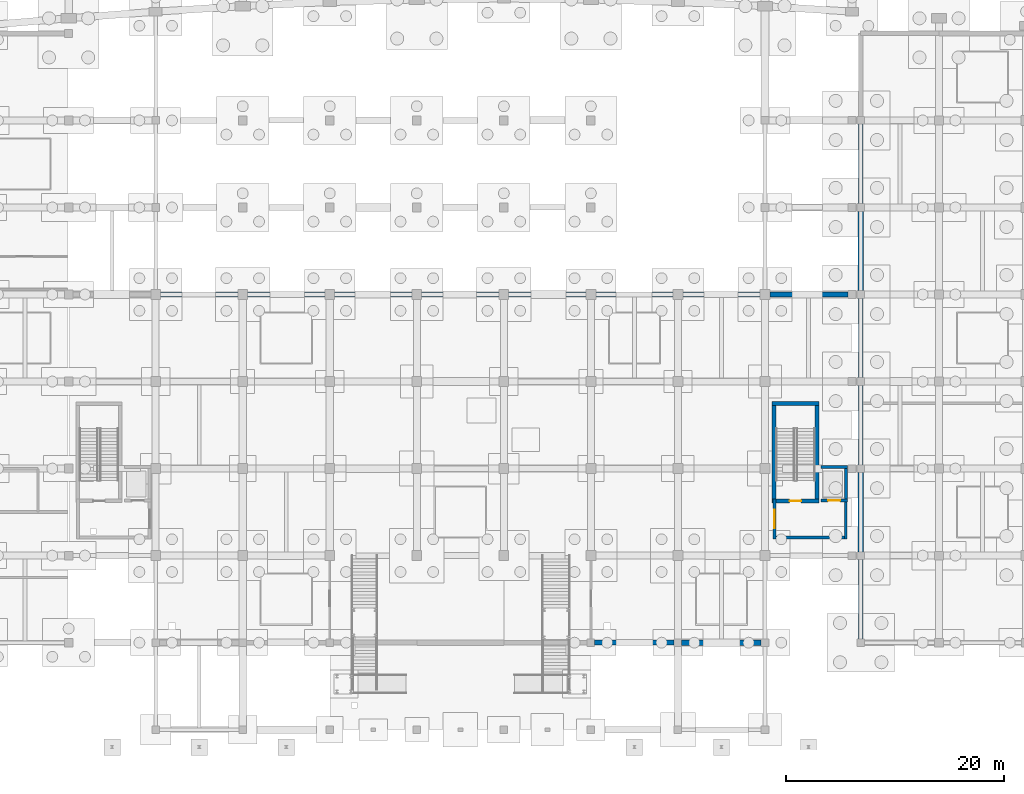
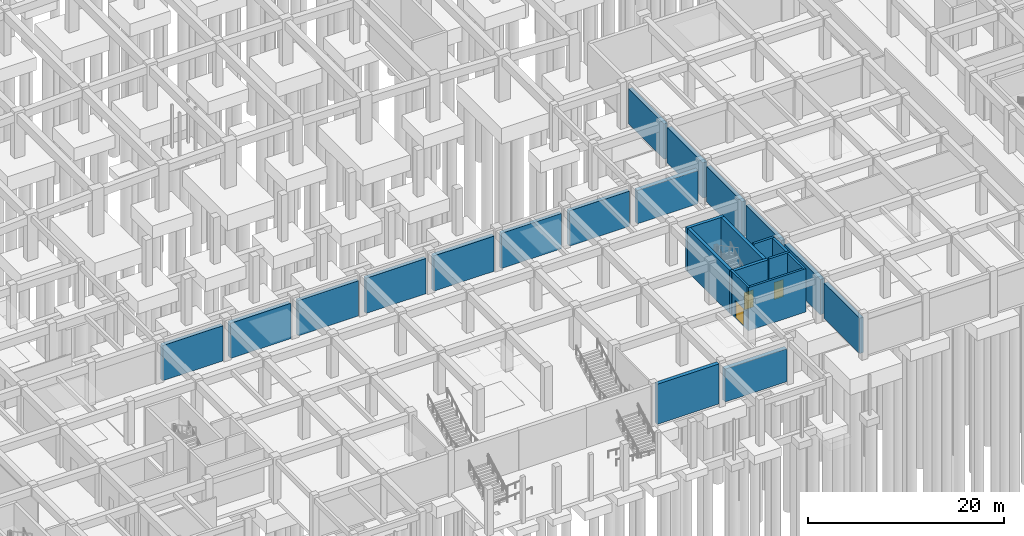
# One storey, part 27 of 45: 26 walls, 3 doors, 3 openings.
"""IFC4 building model written with IfcOpenShell, lengths in metres."""

import ifcopenshell
import ifcopenshell.guid

model = None  # the IFC model being written
_history = None  # IfcOwnerHistory: only IFC2X3 demands one
_inside = {}  # id of a spatial element -> (the spatial element, [elements in it])
_under = {}  # id of a project, library or spatial element -> (it, [spatial elements below it])
_declared = {}  # id of a project -> (the project, [libraries it declares])
_typed = {}  # id of a type object -> (the type object, [elements of that type])
_made_of = {}  # id of a material, layer set ... -> (it, [elements and type objects made of it])


def new_model(schema):
    """Start an empty IFC model of exactly this schema.

    Asked for "IFC4X3", IfcOpenShell would pick the latest addendum, in which some entities
    have other attributes; the version numbers below select the first issue.
    IFC2X3 requires an IfcOwnerHistory on every rooted entity: one is made here for all.
    """
    global model, _history
    if schema == "IFC4X3":
        model = ifcopenshell.file(schema_version=(4, 3, 0, 0))
    else:
        model = ifcopenshell.file(schema=schema)
    _inside.clear()
    _under.clear()
    _declared.clear()
    _typed.clear()
    _made_of.clear()
    _history = None
    if model.schema == "IFC2X3":
        org = make("IfcOrganization", Name="unknown")
        user = make(
            "IfcPersonAndOrganization",
            ThePerson=make("IfcPerson", FamilyName="unknown"),
            TheOrganization=org,
        )
        app = make(
            "IfcApplication",
            ApplicationDeveloper=org,
            Version="unknown",
            ApplicationFullName="unknown",
            ApplicationIdentifier="unknown",
        )
        _history = make(
            "IfcOwnerHistory",
            OwningUser=user,
            OwningApplication=app,
            ChangeAction="ADDED",
            CreationDate=0,
        )
    return model


def make(cls, **values):
    """One entity of the class cls with the attributes given. An attribute that is None is left unset."""
    return model.create_entity(
        cls, **{name: value for name, value in values.items() if value is not None}
    )


def rooted(cls, **values):
    """An entity with a GlobalId (a new one), such as an element, a storey or a relation."""
    return make(cls, GlobalId=ifcopenshell.guid.new(), OwnerHistory=_history, **values)


def si_unit(unit_type, name, prefix=None):
    """IfcSIUnit, for example si_unit("LENGTHUNIT", "METRE", prefix="MILLI")."""
    return make("IfcSIUnit", UnitType=unit_type, Prefix=prefix, Name=name)


def assignment(units):
    """IfcUnitAssignment: the units of a project."""
    return None if units is None else make("IfcUnitAssignment", Units=units)


def point(xyz):
    """IfcCartesianPoint."""
    return None if xyz is None else make("IfcCartesianPoint", Coordinates=xyz)


def direction(xyz):
    """IfcDirection."""
    return None if xyz is None else make("IfcDirection", DirectionRatios=xyz)


def frame(location, z_axis=None, x_axis=None):
    """IfcAxis2Placement3D, a coordinate frame: its origin and axes. An axis left out is left unset."""
    return make(
        "IfcAxis2Placement3D",
        Location=point(location),
        Axis=direction(z_axis),
        RefDirection=direction(x_axis),
    )


def frame_2d(location, x_axis=None):
    """IfcAxis2Placement2D, a coordinate frame in the plane: its origin and x axis."""
    return make(
        "IfcAxis2Placement2D", Location=point(location), RefDirection=direction(x_axis)
    )


def origin():
    """The frame at (0, 0, 0) with its axes left unset."""
    return frame((0.0, 0.0, 0.0))


def place(relative_to, where):
    """IfcLocalPlacement: puts the frame where relative to a parent placement (None: the world)."""
    return make(
        "IfcLocalPlacement", PlacementRelTo=relative_to, RelativePlacement=where
    )


def context(
    kind, dimensions, precision=None, world=None, true_north=None, identifier=None
):
    """IfcGeometricRepresentationContext, for example the 3D "Model" context."""
    return make(
        "IfcGeometricRepresentationContext",
        ContextIdentifier=identifier,
        ContextType=kind,
        CoordinateSpaceDimension=dimensions,
        Precision=precision,
        WorldCoordinateSystem=world,
        TrueNorth=true_north,
    )


def subcontext(parent, identifier, kind, view, scale=None):
    """IfcGeometricRepresentationSubContext, for example "Body" below "Model"."""
    return make(
        "IfcGeometricRepresentationSubContext",
        ContextIdentifier=identifier,
        ContextType=kind,
        ParentContext=parent,
        TargetScale=scale,
        TargetView=view,
    )


def project(units=None, contexts=None):
    """IfcProject with its units and contexts."""
    return rooted(
        "IfcProject",
        Name="project",
        RepresentationContexts=contexts,
        UnitsInContext=assignment(units),
    )


def spatial(cls, under=None, at=None, **own):
    """A site, building, storey or space (cls), placed at a placement, below another one or the project."""
    s = rooted(cls, ObjectPlacement=at, **own)
    if under is not None:
        _under.setdefault(under.id(), (under, []))[1].append(s)
    return s


def profile(cls, at=None, kind="AREA", **sizes):
    """A parametric profile (cls). Its sizes go by their IFC names, for example OverallWidth=200.0."""
    return make(cls, ProfileType=kind, Position=at, **sizes)


def rectangle(**sizes):
    """IfcRectangleProfileDef."""
    return profile("IfcRectangleProfileDef", **sizes)


def extrude(swept, where, along, depth):
    """IfcExtrudedAreaSolid: the profile swept, set in the frame where, extruded along a direction by depth."""
    return make(
        "IfcExtrudedAreaSolid",
        SweptArea=swept,
        Position=where,
        ExtrudedDirection=direction(along),
        Depth=depth,
    )


def shape(context_of_items, identifier, shape_type, items):
    """IfcShapeRepresentation: the items that make up one representation, for example the "Body"."""
    return make(
        "IfcShapeRepresentation",
        ContextOfItems=context_of_items,
        RepresentationIdentifier=identifier,
        RepresentationType=shape_type,
        Items=items,
    )


def material(Name=None, Category=None):
    """IfcMaterial."""
    return make("IfcMaterial", Name=Name, Category=Category)


def layer(
    of_material, thickness, ventilated=None, Name=None, Category=None, Priority=None
):
    """IfcMaterialLayer: one layer of a wall or slab, of a material (None: an air gap)."""
    return make(
        "IfcMaterialLayer",
        Material=of_material,
        LayerThickness=thickness,
        IsVentilated=ventilated,
        Name=Name,
        Category=Category,
        Priority=Priority,
    )


def layer_set(layers, Name=None):
    """IfcMaterialLayerSet."""
    return make("IfcMaterialLayerSet", MaterialLayers=layers, LayerSetName=Name)


def made_of(thing, what):
    """Note that an element or type object is made of a material, layer set ...; save() writes the relation."""
    if what is not None:
        _made_of.setdefault(what.id(), (what, []))[1].append(thing)
    return thing


def type_object(cls, material=None, **own):
    """A type object (cls), such as IfcWallType, which elements share."""
    return made_of(rooted(cls, **own), material)


def element(
    cls,
    number,
    at=None,
    inside=None,
    cuts=None,
    type_object=None,
    material=None,
    context=None,
    identifier="Body",
    shape_type=None,
    held_by="IfcProductDefinitionShape",
    body=None,
    shapes=None,
    **own,
):
    """One element of the class cls, such as IfcWall. Its Tag is "e" and its number.

    at: its placement. inside: the storey or other place that contains it. cuts: it is an
    opening in that element (IfcRelVoidsElement). A single representation is given by context,
    identifier, shape_type and body (its items); several are given by shapes. held_by: the class
    of the entity that holds the representations. save() writes the other relations.
    """
    e = rooted(cls, Tag="e%d" % number, ObjectPlacement=at, **own)
    if body is not None:
        shapes = [shape(context, identifier, shape_type, body)]
    if shapes is not None:
        e.Representation = make(held_by, Representations=shapes)
    if inside is not None:
        _inside.setdefault(inside.id(), (inside, []))[1].append(e)
    if cuts is not None:
        rooted(
            "IfcRelVoidsElement", RelatingBuildingElement=cuts, RelatedOpeningElement=e
        )
    if type_object is not None:
        _typed.setdefault(type_object.id(), (type_object, []))[1].append(e)
    return made_of(e, material)


def fill(opening, filler):
    """IfcRelFillsElement: the door or window that sits in an opening."""
    return rooted(
        "IfcRelFillsElement",
        RelatingOpeningElement=opening,
        RelatedBuildingElement=filler,
    )


def aggregate(whole, parts):
    """IfcRelAggregates: a whole, such as a stair, and the parts it consists of."""
    return rooted("IfcRelAggregates", RelatingObject=whole, RelatedObjects=parts)


def save(model, path):
    """Write the relations noted so far, then the file.

    IfcRelAggregates (storeys below a building ...), IfcRelContainedInSpatialStructure (elements
    in a storey), IfcRelDefinesByType, IfcRelAssociatesMaterial and IfcRelDeclares: one each for
    every whole, place, type object, material and project.
    """
    for whole, parts in _under.values():
        aggregate(whole, parts)
    for where, things in _inside.values():
        rooted(
            "IfcRelContainedInSpatialStructure",
            RelatedElements=things,
            RelatingStructure=where,
        )
    for kind, things in _typed.values():
        rooted("IfcRelDefinesByType", RelatedObjects=things, RelatingType=kind)
    for what, things in _made_of.values():
        rooted("IfcRelAssociatesMaterial", RelatedObjects=things, RelatingMaterial=what)
    for by, libraries in _declared.values():
        rooted("IfcRelDeclares", RelatingContext=by, RelatedDefinitions=libraries)
    model.write(path)


model = new_model("IFC4")

# Units and contexts
model_context = context("Model", 3, precision=1e-05, world=origin(), true_north=direction((0.0, 1.0)))
body_context = subcontext(model_context, "Body", "Model", "MODEL_VIEW")
ifc_project = project(units=[si_unit("LENGTHUNIT", "METRE"), si_unit("AREAUNIT", "SQUARE_METRE"), si_unit("VOLUMEUNIT", "CUBIC_METRE"), si_unit("PLANEANGLEUNIT", "RADIAN"), si_unit("MASSUNIT", "GRAM", prefix="KILO")], contexts=[model_context])

# Site, building, storey
site_placement = place(None, origin())
site = spatial("IfcSite", under=ifc_project, at=site_placement, CompositionType="ELEMENT")
building_placement = place(site_placement, origin())
building = spatial("IfcBuilding", under=site, at=building_placement, Name="Kenh Van Central Station", CompositionType="ELEMENT")
storey_placement = place(building_placement, frame((0.0, 0.0, -5.39990234375)))
storey = spatial("IfcBuildingStorey", under=building, at=storey_placement, Name="B1", CompositionType="ELEMENT", Elevation=-5.39990234375)

# Wall, opening, door
ifc_material_1 = material(Name="Concrete C40/50", Category="concrete")
ifc_layer_1 = layer(ifc_material_1, 0.280029296875, Name="Concrete C40/50")
ifc_layer_set_1 = layer_set([ifc_layer_1], Name="Concrete C40/50")
wall_type_1 = type_object("IfcWallType", Name="WL-CORE-280", PredefinedType="SHEAR", material=ifc_layer_set_1)
wall_1_placement = place(storey_placement, frame((117.14990234375, 21.06005859375, 0.0), z_axis=(0.0, 0.0, 1.0), x_axis=(1.0, 0.0, 0.0)))
wall_1 = element("IfcWall", 1, at=wall_1_placement, inside=storey, type_object=wall_type_1, Name="B1 LIFT-P4 shaft wall S", PredefinedType="SHEAR", context=body_context, shape_type="SweptSolid", body=[
    extrude(rectangle(XDim=2.43017578125, YDim=0.280029296875, at=frame_2d((1.215087890625, 0.0))), origin(), (0.0, 0.0, 1.0), 5.39990234375),
])
opening_1_placement = place(wall_1_placement, frame((0.6650390625, 0.0, 0.0)))
opening_1 = element("IfcOpeningElement", 2, at=opening_1_placement, cuts=wall_1, Name="Opening LD-P1", PredefinedType="OPENING", context=body_context, shape_type="SweptSolid", body=[
    extrude(rectangle(XDim=1.10009765625, YDim=2.14990234375, at=frame_2d((0.550048828125, 1.074951171875))), frame((0.0, 0.14990234375, 0.0), z_axis=(0.0, -1.0, 0.0), x_axis=(1.0, 0.0, 0.0)), (0.0, 0.0, 1.0), 0.300048828125),
])
ifc_material_2 = material(Name="Champagne anodised aluminium", Category="aluminium")
door_type_1 = type_object("IfcDoorType", Name="DR-LIFT-1100x2150", OperationType="SLIDING_TO_LEFT", PredefinedType="DOOR", material=ifc_material_2)
door_1_placement = place(opening_1_placement, origin())
door_1 = element("IfcDoor", 3, at=door_1_placement, inside=storey, type_object=door_type_1, Name="B1 LIFT-P4 sliding landing door", OperationType="SLIDING_TO_LEFT", OverallHeight=2.14990234375, OverallWidth=1.10009765625, PredefinedType="DOOR", context=body_context, shape_type="SweptSolid", body=[
    extrude(rectangle(XDim=1.10009765625, YDim=2.14990234375, at=frame_2d((0.550048828125, 1.074951171875))), frame((0.0, 0.02490234375, 0.0), z_axis=(0.0, -1.0, 0.0), x_axis=(1.0, 0.0, 0.0)), (0.0, 0.0, 1.0), 0.050048828125),
])
fill(opening_1, door_1)

# Walls
wall_2_placement = place(storey_placement, frame((117.14990234375, 24.139892578125, 0.0), z_axis=(0.0, 0.0, 1.0), x_axis=(1.0, 0.0, 0.0)))
element("IfcWall", 4, at=wall_2_placement, inside=storey, type_object=wall_type_1, Name="B1 LIFT-P4 shaft wall N", PredefinedType="SHEAR", context=body_context, shape_type="SweptSolid", body=[
    extrude(rectangle(XDim=2.43017578125, YDim=0.280029296875, at=frame_2d((1.215087890625, 0.0))), origin(), (0.0, 0.0, 1.0), 5.39990234375),
])
wall_3_placement = place(storey_placement, frame((119.43994140625, 21.199951171875, 0.0), z_axis=(0.0, 0.0, 1.0), x_axis=(0.0, 1.0, 0.0)))
element("IfcWall", 5, at=wall_3_placement, inside=storey, type_object=wall_type_1, Name="B1 LIFT-P4 shaft wall E", PredefinedType="SHEAR", context=body_context, shape_type="SweptSolid", body=[
    extrude(rectangle(XDim=2.800048828125, YDim=0.280029296875, at=frame_2d((1.39990234375, 0.0))), origin(), (0.0, 0.0, 1.0), 5.39990234375),
])

# Wall, opening, door
ifc_layer_2 = layer(ifc_material_1, 0.360107421875, Name="Concrete C40/50")
ifc_layer_set_2 = layer_set([ifc_layer_2], Name="Concrete C40/50")
wall_type_2 = type_object("IfcWallType", Name="WL-CORE-360", PredefinedType="SHEAR", material=ifc_layer_set_2)
wall_4_placement = place(storey_placement, frame((112.639892578125, 21.02001953125, 0.0), z_axis=(0.0, 0.0, 1.0), x_axis=(1.0, 0.0, 0.0)))
wall_4 = element("IfcWall", 6, at=wall_4_placement, inside=storey, type_object=wall_type_2, Name="B1 CORE-04 stair wall S", PredefinedType="SHEAR", context=body_context, shape_type="SweptSolid", body=[
    extrude(rectangle(XDim=4.320068359375, YDim=0.360107421875, at=frame_2d((2.16015625, 0.0))), origin(), (0.0, 0.0, 1.0), 5.39990234375),
])
opening_2_placement = place(wall_4_placement, frame((1.635009765625, 0.0, 0.0)))
opening_2 = element("IfcOpeningElement", 7, at=opening_2_placement, cuts=wall_4, Name="Opening D-FD60", PredefinedType="OPENING", context=body_context, shape_type="SweptSolid", body=[
    extrude(rectangle(XDim=1.050048828125, YDim=2.14990234375, at=frame_2d((0.52490234375, 1.074951171875))), frame((0.0, 0.18994140625, 0.0), z_axis=(0.0, -1.0, 0.0), x_axis=(1.0, 0.0, 0.0)), (0.0, 0.0, 1.0), 0.380126953125),
])
door_type_2 = type_object("IfcDoorType", Name="DR-FIRE-1050x2150", OperationType="NOTDEFINED", PredefinedType="DOOR", material=ifc_material_2)
door_2_placement = place(opening_2_placement, origin())
door_2 = element("IfcDoor", 8, at=door_2_placement, inside=storey, type_object=door_type_2, Name="B1 ST-04 stair door", OperationType="SINGLE_SWING_RIGHT", OverallHeight=2.14990234375, OverallWidth=1.050048828125, PredefinedType="DOOR", context=body_context, shape_type="SweptSolid", body=[
    extrude(rectangle(XDim=1.050048828125, YDim=2.14990234375, at=frame_2d((0.52490234375, 1.074951171875))), frame((0.0, 0.02490234375, 0.0), z_axis=(0.0, -1.0, 0.0), x_axis=(1.0, 0.0, 0.0)), (0.0, 0.0, 1.0), 0.050048828125),
])
fill(opening_2, door_2)

# Walls
wall_5_placement = place(storey_placement, frame((112.639892578125, 29.97998046875, 0.0), z_axis=(0.0, 0.0, 1.0), x_axis=(1.0, 0.0, 0.0)))
element("IfcWall", 9, at=wall_5_placement, inside=storey, type_object=wall_type_2, Name="B1 CORE-04 stair wall N", PredefinedType="SHEAR", context=body_context, shape_type="SweptSolid", body=[
    extrude(rectangle(XDim=4.320068359375, YDim=0.360107421875, at=frame_2d((2.16015625, 0.0))), origin(), (0.0, 0.0, 1.0), 5.39990234375),
])
for number, where, z_axis, x_axis, name in (
    (10, (112.820068359375, 21.199951171875, 0.0), (0.0, 0.0, 1.0), (0.0, 1.0, 0.0), "B1 CORE-04 stair wall W"),
    (11, (116.780029296875, 21.199951171875, 0.0), (0.0, 0.0, 1.0), (0.0, 1.0, 0.0), "B1 CORE-04 stair wall E"),
):
    element("IfcWall", number, at=place(storey_placement, frame(where, z_axis=z_axis, x_axis=x_axis)), inside=storey, type_object=wall_type_2, Name=name, PredefinedType="SHEAR", context=body_context, shape_type="SweptSolid", body=[
        extrude(rectangle(XDim=8.60009765625, YDim=0.360107421875, at=frame_2d((4.300048828125, 0.0))), origin(), (0.0, 0.0, 1.0), 5.39990234375),
    ])
ifc_layer_3 = layer(ifc_material_1, 0.260009765625, Name="Concrete C40/50")
ifc_layer_set_3 = layer_set([ifc_layer_3], Name="Concrete C40/50")
wall_type_3 = type_object("IfcWallType", Name="WL-FIRE-260", PredefinedType="SHEAR", material=ifc_layer_set_3)
wall_6_placement = place(storey_placement, frame((119.56005859375, 17.669921875, 0.0), z_axis=(0.0, 0.0, 1.0), x_axis=(-1.0, 0.0, 0.0)))
element("IfcWall", 12, at=wall_6_placement, inside=storey, type_object=wall_type_3, Name="B1 CORE-04 lobby wall S", PredefinedType="SHEAR", context=body_context, shape_type="SweptSolid", body=[
    extrude(rectangle(XDim=6.820068359375, YDim=0.260009765625, at=frame_2d((3.41015625, 0.0))), origin(), (0.0, 0.0, 1.0), 5.39990234375),
])

# Wall, opening, door
wall_7_placement = place(storey_placement, frame((112.8701171875, 17.5400390625, 0.0), z_axis=(0.0, 0.0, 1.0), x_axis=(0.0, 1.0, 0.0)))
wall_7 = element("IfcWall", 13, at=wall_7_placement, inside=storey, type_object=wall_type_3, Name="B1 CORE-04 lobby wall W", PredefinedType="SHEAR", context=body_context, shape_type="SweptSolid", body=[
    extrude(rectangle(XDim=3.659912109375, YDim=0.260009765625, at=frame_2d((1.830078125, 0.0))), origin(), (0.0, 0.0, 1.0), 5.39990234375),
])
opening_3_placement = place(wall_7_placement, frame((0.97998046875, 0.0, 0.0)))
opening_3 = element("IfcOpeningElement", 14, at=opening_3_placement, cuts=wall_7, Name="Opening D-FD60D", PredefinedType="OPENING", context=body_context, shape_type="SweptSolid", body=[
    extrude(rectangle(XDim=1.699951171875, YDim=2.199951171875, at=frame_2d((0.85009765625, 1.10009765625))), frame((0.0, 0.139892578125, 0.0), z_axis=(0.0, -1.0, 0.0), x_axis=(1.0, 0.0, 0.0)), (0.0, 0.0, 1.0), 0.280029296875),
])
door_type_3 = type_object("IfcDoorType", Name="DR-FIRE-1700x2200", OperationType="DOUBLE_DOOR_SINGLE_SWING", PredefinedType="DOOR", material=ifc_material_2)
door_3_placement = place(opening_3_placement, origin())
door_3 = element("IfcDoor", 15, at=door_3_placement, inside=storey, type_object=door_type_3, Name="B1 CORE-04 smoke-stop lobby door", OperationType="DOUBLE_DOOR_SINGLE_SWING", OverallHeight=2.199951171875, OverallWidth=1.699951171875, PredefinedType="DOOR", context=body_context, shape_type="SweptSolid", body=[
    extrude(rectangle(XDim=1.699951171875, YDim=2.199951171875, at=frame_2d((0.85009765625, 1.10009765625))), frame((0.0, 0.02490234375, 0.0), z_axis=(0.0, -1.0, 0.0), x_axis=(1.0, 0.0, 0.0)), (0.0, 0.0, 1.0), 0.050048828125),
])
fill(opening_3, door_3)

# Walls
wall_8_placement = place(storey_placement, frame((119.429931640625, 17.5400390625, 0.0), z_axis=(0.0, 0.0, 1.0), x_axis=(0.0, 1.0, 0.0)))
element("IfcWall", 16, at=wall_8_placement, inside=storey, type_object=wall_type_3, Name="B1 CORE-04 lobby wall E", PredefinedType="SHEAR", context=body_context, shape_type="SweptSolid", body=[
    extrude(rectangle(XDim=3.659912109375, YDim=0.260009765625, at=frame_2d((1.830078125, 0.0))), origin(), (0.0, 0.0, 1.0), 5.39990234375),
])
ifc_layer_4 = layer(ifc_material_1, 0.419921875, Name="Concrete C40/50")
ifc_layer_set_4 = layer_set([ifc_layer_4], Name="Concrete C40/50")
wall_type_4 = type_object("IfcWallType", Name="WL-RET-420", PredefinedType="USERDEFINED", material=ifc_layer_set_4)
for number, where, z_axis, x_axis, name in (
    (17, (72.449951171875, 40.0, 0.0), (0.0, 0.0, 1.0), (1.0, 0.0, 0.0), "B1 retaining wall 030"),
    (18, (96.449951171875, 40.0, 0.0), (0.0, 0.0, 1.0), (1.0, 0.0, 0.0), "B1 retaining wall 033"),
):
    element("IfcWall", number, at=place(storey_placement, frame(where, z_axis=z_axis, x_axis=x_axis)), inside=storey, type_object=wall_type_4, Name=name, ObjectType="RETAININGWALL", PredefinedType="USERDEFINED", context=body_context, shape_type="SweptSolid", body=[
        extrude(rectangle(XDim=7.10009765625, YDim=0.419921875, at=frame_2d((3.550048828125, 0.0))), origin(), (0.0, 0.0, 1.0), 4.39990234375),
    ])
for number, where, z_axis, x_axis, name in (
    (19, (120.800048828125, 24.35009765625, 0.0), (0.0, 0.0, 1.0), (0.0, 1.0, 0.0), "B1 retaining wall 045"),
    (20, (120.800048828125, 48.35009765625, 0.0), (0.0, 0.0, 1.0), (0.0, 1.0, 0.0), "B1 retaining wall 048"),
):
    element("IfcWall", number, at=place(storey_placement, frame(where, z_axis=z_axis, x_axis=x_axis)), inside=storey, type_object=wall_type_4, Name=name, ObjectType="RETAININGWALL", PredefinedType="USERDEFINED", context=body_context, shape_type="SweptSolid", body=[
        extrude(rectangle(XDim=7.2998046875, YDim=0.419921875, at=frame_2d((3.64990234375, 0.0))), origin(), (0.0, 0.0, 1.0), 4.39990234375),
    ])
ifc_layer_5 = layer(ifc_material_1, 0.449951171875, Name="Concrete C40/50")
ifc_layer_set_5 = layer_set([ifc_layer_5], Name="Concrete C40/50")
wall_type_5 = type_object("IfcWallType", Name="WL-RET-450", PredefinedType="USERDEFINED", material=ifc_layer_set_5)
wall_9_placement = place(storey_placement, frame((96.35009765625, 8.0, 0.0), z_axis=(0.0, 0.0, 1.0), x_axis=(1.0, 0.0, 0.0)))
element("IfcWall", 21, at=wall_9_placement, inside=storey, type_object=wall_type_5, Name="B1 retaining wall 025", ObjectType="RETAININGWALL", PredefinedType="USERDEFINED", context=body_context, shape_type="SweptSolid", body=[
    extrude(rectangle(XDim=7.2998046875, YDim=0.449951171875, at=frame_2d((3.64990234375, 0.0))), origin(), (0.0, 0.0, 1.0), 5.0),
])
for number, where, z_axis, x_axis, name in (
    (22, (56.449951171875, 40.0, 0.0), (0.0, 0.0, 1.0), (1.0, 0.0, 0.0), "B1 retaining wall 028"),
    (23, (80.449951171875, 40.0, 0.0), (0.0, 0.0, 1.0), (1.0, 0.0, 0.0), "B1 retaining wall 031"),
    (24, (104.449951171875, 40.0, 0.0), (0.0, 0.0, 1.0), (1.0, 0.0, 0.0), "B1 retaining wall 034"),
):
    element("IfcWall", number, at=place(storey_placement, frame(where, z_axis=z_axis, x_axis=x_axis)), inside=storey, type_object=wall_type_5, Name=name, ObjectType="RETAININGWALL", PredefinedType="USERDEFINED", context=body_context, shape_type="SweptSolid", body=[
        extrude(rectangle(XDim=7.10009765625, YDim=0.449951171875, at=frame_2d((3.550048828125, 0.0))), origin(), (0.0, 0.0, 1.0), 4.39990234375),
    ])
for number, where, z_axis, x_axis, name in (
    (25, (120.800048828125, 8.35009765625, 0.0), (0.0, 0.0, 1.0), (0.0, 1.0, 0.0), "B1 retaining wall 043"),
    (26, (120.800048828125, 32.35009765625, 0.0), (0.0, 0.0, 1.0), (0.0, 1.0, 0.0), "B1 retaining wall 046"),
):
    element("IfcWall", number, at=place(storey_placement, frame(where, z_axis=z_axis, x_axis=x_axis)), inside=storey, type_object=wall_type_5, Name=name, ObjectType="RETAININGWALL", PredefinedType="USERDEFINED", context=body_context, shape_type="SweptSolid", body=[
        extrude(rectangle(XDim=7.2998046875, YDim=0.449951171875, at=frame_2d((3.64990234375, 0.0))), origin(), (0.0, 0.0, 1.0), 4.39990234375),
    ])
ifc_layer_6 = layer(ifc_material_1, 0.5, Name="Concrete C40/50")
ifc_layer_set_6 = layer_set([ifc_layer_6], Name="Concrete C40/50")
wall_type_6 = type_object("IfcWallType", Name="WL-RET-500", PredefinedType="USERDEFINED", material=ifc_layer_set_6)
wall_10_placement = place(storey_placement, frame((104.35009765625, 8.0, 0.0), z_axis=(0.0, 0.0, 1.0), x_axis=(1.0, 0.0, 0.0)))
element("IfcWall", 27, at=wall_10_placement, inside=storey, type_object=wall_type_6, Name="B1 retaining wall 026", ObjectType="RETAININGWALL", PredefinedType="USERDEFINED", context=body_context, shape_type="SweptSolid", body=[
    extrude(rectangle(XDim=7.2998046875, YDim=0.5, at=frame_2d((3.64990234375, 0.0))), origin(), (0.0, 0.0, 1.0), 4.10986328125),
])
for number, where, z_axis, x_axis, name in (
    (28, (64.449951171875, 40.0, 0.0), (0.0, 0.0, 1.0), (1.0, 0.0, 0.0), "B1 retaining wall 029"),
    (29, (88.449951171875, 40.0, 0.0), (0.0, 0.0, 1.0), (1.0, 0.0, 0.0), "B1 retaining wall 032"),
):
    element("IfcWall", number, at=place(storey_placement, frame(where, z_axis=z_axis, x_axis=x_axis)), inside=storey, type_object=wall_type_6, Name=name, ObjectType="RETAININGWALL", PredefinedType="USERDEFINED", context=body_context, shape_type="SweptSolid", body=[
        extrude(rectangle(XDim=7.10009765625, YDim=0.5, at=frame_2d((3.550048828125, 0.0))), origin(), (0.0, 0.0, 1.0), 4.39990234375),
    ])
wall_11_placement = place(storey_placement, frame((112.449951171875, 40.0, 0.0), z_axis=(0.0, 0.0, 1.0), x_axis=(1.0, 0.0, 0.0)))
element("IfcWall", 30, at=wall_11_placement, inside=storey, type_object=wall_type_6, Name="B1 retaining wall 035", ObjectType="RETAININGWALL", PredefinedType="USERDEFINED", context=body_context, shape_type="SweptSolid", body=[
    extrude(rectangle(XDim=7.199951171875, YDim=0.5, at=frame_2d((3.60009765625, 0.0))), origin(), (0.0, 0.0, 1.0), 4.14990234375),
])
for number, where, z_axis, x_axis, name in (
    (31, (120.800048828125, 16.35009765625, 0.0), (0.0, 0.0, 1.0), (0.0, 1.0, 0.0), "B1 retaining wall 044"),
    (32, (120.800048828125, 40.35009765625, 0.0), (0.0, 0.0, 1.0), (0.0, 1.0, 0.0), "B1 retaining wall 047"),
):
    element("IfcWall", number, at=place(storey_placement, frame(where, z_axis=z_axis, x_axis=x_axis)), inside=storey, type_object=wall_type_6, Name=name, ObjectType="RETAININGWALL", PredefinedType="USERDEFINED", context=body_context, shape_type="SweptSolid", body=[
        extrude(rectangle(XDim=7.2998046875, YDim=0.5, at=frame_2d((3.64990234375, 0.0))), origin(), (0.0, 0.0, 1.0), 4.39990234375),
    ])

save(model, "model.ifc")
